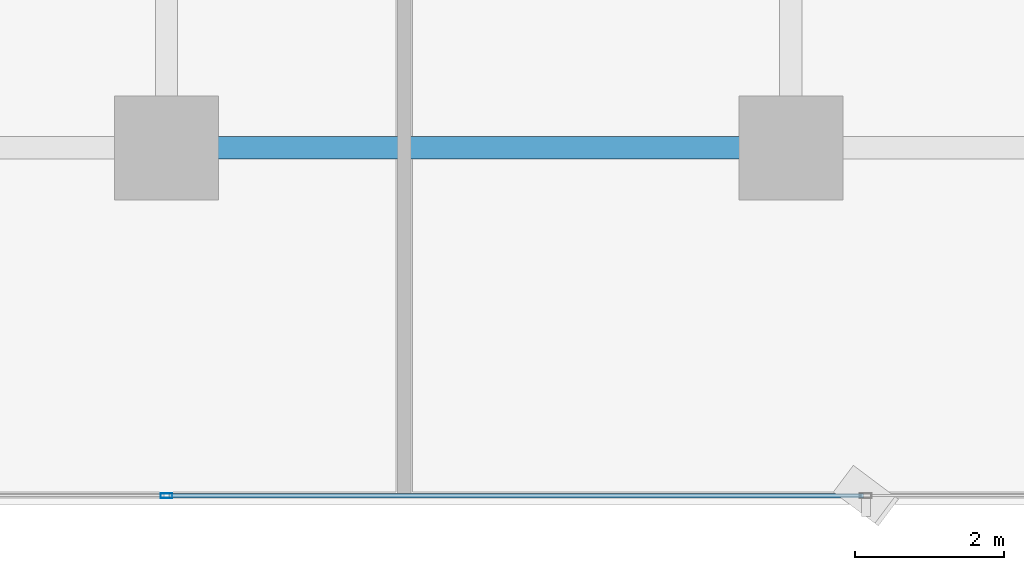
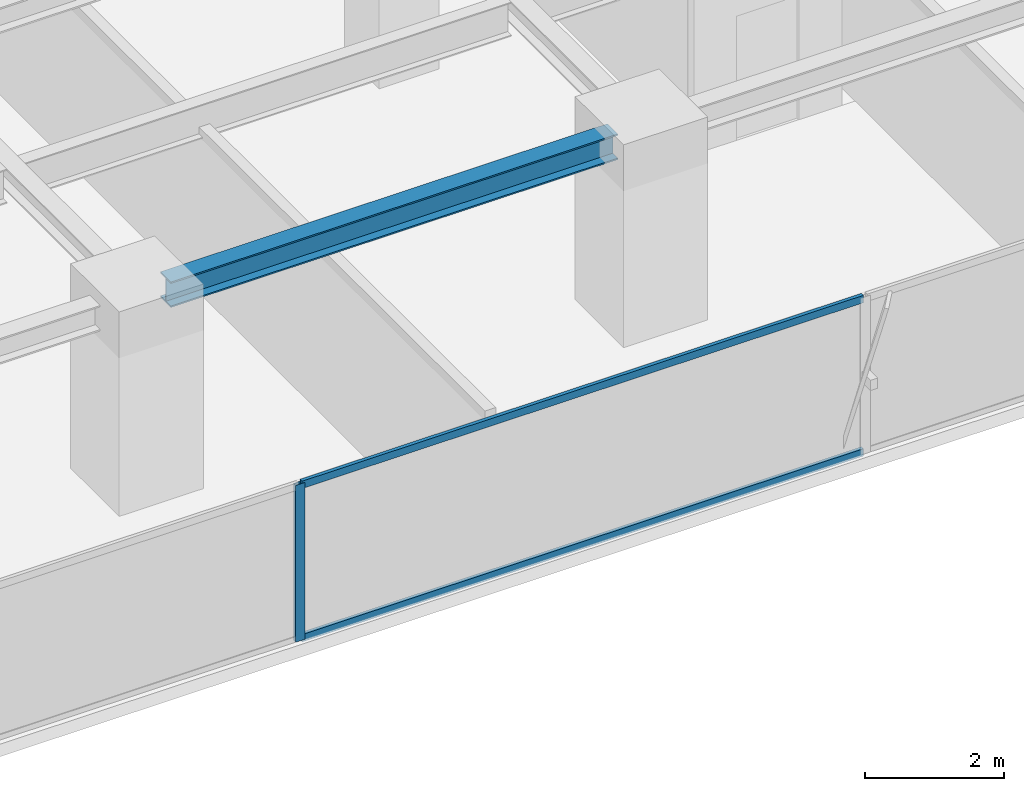
# One storey, part 5 of 28: 3 members, 1 beam, 1 element without a shape of its own.
"""IFC4 building model written with IfcOpenShell, lengths in metres."""

import ifcopenshell
import ifcopenshell.guid

model = None  # the IFC model being written
_history = None  # IfcOwnerHistory: only IFC2X3 demands one
_inside = {}  # id of a spatial element -> (the spatial element, [elements in it])
_under = {}  # id of a project, library or spatial element -> (it, [spatial elements below it])
_declared = {}  # id of a project -> (the project, [libraries it declares])
_typed = {}  # id of a type object -> (the type object, [elements of that type])
_made_of = {}  # id of a material, layer set ... -> (it, [elements and type objects made of it])


def new_model(schema):
    """Start an empty IFC model of exactly this schema.

    Asked for "IFC4X3", IfcOpenShell would pick the latest addendum, in which some entities
    have other attributes; the version numbers below select the first issue.
    IFC2X3 requires an IfcOwnerHistory on every rooted entity: one is made here for all.
    """
    global model, _history
    if schema == "IFC4X3":
        model = ifcopenshell.file(schema_version=(4, 3, 0, 0))
    else:
        model = ifcopenshell.file(schema=schema)
    _inside.clear()
    _under.clear()
    _declared.clear()
    _typed.clear()
    _made_of.clear()
    _history = None
    if model.schema == "IFC2X3":
        org = make("IfcOrganization", Name="unknown")
        user = make(
            "IfcPersonAndOrganization",
            ThePerson=make("IfcPerson", FamilyName="unknown"),
            TheOrganization=org,
        )
        app = make(
            "IfcApplication",
            ApplicationDeveloper=org,
            Version="unknown",
            ApplicationFullName="unknown",
            ApplicationIdentifier="unknown",
        )
        _history = make(
            "IfcOwnerHistory",
            OwningUser=user,
            OwningApplication=app,
            ChangeAction="ADDED",
            CreationDate=0,
        )
    return model


def make(cls, **values):
    """One entity of the class cls with the attributes given. An attribute that is None is left unset."""
    return model.create_entity(
        cls, **{name: value for name, value in values.items() if value is not None}
    )


def rooted(cls, **values):
    """An entity with a GlobalId (a new one), such as an element, a storey or a relation."""
    return make(cls, GlobalId=ifcopenshell.guid.new(), OwnerHistory=_history, **values)


def si_unit(unit_type, name, prefix=None):
    """IfcSIUnit, for example si_unit("LENGTHUNIT", "METRE", prefix="MILLI")."""
    return make("IfcSIUnit", UnitType=unit_type, Prefix=prefix, Name=name)


def assignment(units):
    """IfcUnitAssignment: the units of a project."""
    return None if units is None else make("IfcUnitAssignment", Units=units)


def point(xyz):
    """IfcCartesianPoint."""
    return None if xyz is None else make("IfcCartesianPoint", Coordinates=xyz)


def direction(xyz):
    """IfcDirection."""
    return None if xyz is None else make("IfcDirection", DirectionRatios=xyz)


def frame(location, z_axis=None, x_axis=None):
    """IfcAxis2Placement3D, a coordinate frame: its origin and axes. An axis left out is left unset."""
    return make(
        "IfcAxis2Placement3D",
        Location=point(location),
        Axis=direction(z_axis),
        RefDirection=direction(x_axis),
    )


def frame_2d(location, x_axis=None):
    """IfcAxis2Placement2D, a coordinate frame in the plane: its origin and x axis."""
    return make(
        "IfcAxis2Placement2D", Location=point(location), RefDirection=direction(x_axis)
    )


def origin():
    """The frame at (0, 0, 0) with its axes left unset."""
    return frame((0.0, 0.0, 0.0))


def origin_2d():
    """The frame at (0, 0) in the plane with its x axis left unset."""
    return frame_2d((0.0, 0.0))


def place(relative_to, where):
    """IfcLocalPlacement: puts the frame where relative to a parent placement (None: the world)."""
    return make(
        "IfcLocalPlacement", PlacementRelTo=relative_to, RelativePlacement=where
    )


def context(
    kind, dimensions, precision=None, world=None, true_north=None, identifier=None
):
    """IfcGeometricRepresentationContext, for example the 3D "Model" context."""
    return make(
        "IfcGeometricRepresentationContext",
        ContextIdentifier=identifier,
        ContextType=kind,
        CoordinateSpaceDimension=dimensions,
        Precision=precision,
        WorldCoordinateSystem=world,
        TrueNorth=true_north,
    )


def subcontext(parent, identifier, kind, view, scale=None):
    """IfcGeometricRepresentationSubContext, for example "Body" below "Model"."""
    return make(
        "IfcGeometricRepresentationSubContext",
        ContextIdentifier=identifier,
        ContextType=kind,
        ParentContext=parent,
        TargetScale=scale,
        TargetView=view,
    )


def project(units=None, contexts=None):
    """IfcProject with its units and contexts."""
    return rooted(
        "IfcProject",
        Name="project",
        RepresentationContexts=contexts,
        UnitsInContext=assignment(units),
    )


def spatial(cls, under=None, at=None, **own):
    """A site, building, storey or space (cls), placed at a placement, below another one or the project."""
    s = rooted(cls, ObjectPlacement=at, **own)
    if under is not None:
        _under.setdefault(under.id(), (under, []))[1].append(s)
    return s


def profile(cls, at=None, kind="AREA", **sizes):
    """A parametric profile (cls). Its sizes go by their IFC names, for example OverallWidth=200.0."""
    return make(cls, ProfileType=kind, Position=at, **sizes)


def hollow_rectangle(**sizes):
    """IfcRectangleHollowProfileDef."""
    return profile("IfcRectangleHollowProfileDef", **sizes)


def i_section(**sizes):
    """IfcIShapeProfileDef."""
    return profile("IfcIShapeProfileDef", **sizes)


def extrude(swept, where, along, depth):
    """IfcExtrudedAreaSolid: the profile swept, set in the frame where, extruded along a direction by depth."""
    return make(
        "IfcExtrudedAreaSolid",
        SweptArea=swept,
        Position=where,
        ExtrudedDirection=direction(along),
        Depth=depth,
    )


def shape(context_of_items, identifier, shape_type, items):
    """IfcShapeRepresentation: the items that make up one representation, for example the "Body"."""
    return make(
        "IfcShapeRepresentation",
        ContextOfItems=context_of_items,
        RepresentationIdentifier=identifier,
        RepresentationType=shape_type,
        Items=items,
    )


def source(mapping_origin, context_of_items, identifier, shape_type, items):
    """IfcRepresentationMap: a shape defined once, which mapped items show again and again."""
    return make(
        "IfcRepresentationMap",
        MappingOrigin=mapping_origin,
        MappedRepresentation=shape(context_of_items, identifier, shape_type, items),
    )


def transform(
    local_origin,
    x_axis=None,
    y_axis=None,
    z_axis=None,
    scale=None,
    scale2=None,
    scale3=None,
    uniform=True,
):
    """IfcCartesianTransformationOperator3D, or its non-uniform kind. x_axis, y_axis, z_axis: its Axis1, 2, 3."""
    if uniform:
        return make(
            "IfcCartesianTransformationOperator3D",
            Axis1=direction(x_axis),
            Axis2=direction(y_axis),
            LocalOrigin=point(local_origin),
            Scale=scale,
            Axis3=direction(z_axis),
        )
    return make(
        "IfcCartesianTransformationOperator3DnonUniform",
        Axis1=direction(x_axis),
        Axis2=direction(y_axis),
        LocalOrigin=point(local_origin),
        Scale=scale,
        Axis3=direction(z_axis),
        Scale2=scale2,
        Scale3=scale3,
    )


def mapped(mapping_source, mapping_target):
    """IfcMappedItem: shows the shape of a source again, moved by a transform."""
    return make(
        "IfcMappedItem", MappingSource=mapping_source, MappingTarget=mapping_target
    )


def material(Name=None, Category=None):
    """IfcMaterial."""
    return make("IfcMaterial", Name=Name, Category=Category)


def layer(
    of_material, thickness, ventilated=None, Name=None, Category=None, Priority=None
):
    """IfcMaterialLayer: one layer of a wall or slab, of a material (None: an air gap)."""
    return make(
        "IfcMaterialLayer",
        Material=of_material,
        LayerThickness=thickness,
        IsVentilated=ventilated,
        Name=Name,
        Category=Category,
        Priority=Priority,
    )


def layer_set(layers, Name=None):
    """IfcMaterialLayerSet."""
    return make("IfcMaterialLayerSet", MaterialLayers=layers, LayerSetName=Name)


def material_profile(
    of_material, cross_section, Name=None, Category=None, Priority=None
):
    """IfcMaterialProfile: a cross section and its material."""
    return make(
        "IfcMaterialProfile",
        Name=Name,
        Material=of_material,
        Profile=cross_section,
        Priority=Priority,
        Category=Category,
    )


def profile_set(profiles, Name=None, composite=None):
    """IfcMaterialProfileSet."""
    return make(
        "IfcMaterialProfileSet",
        Name=Name,
        MaterialProfiles=profiles,
        CompositeProfile=composite,
    )


def made_of(thing, what):
    """Note that an element or type object is made of a material, layer set ...; save() writes the relation."""
    if what is not None:
        _made_of.setdefault(what.id(), (what, []))[1].append(thing)
    return thing


def type_object(cls, material=None, **own):
    """A type object (cls), such as IfcWallType, which elements share."""
    return made_of(rooted(cls, **own), material)


def element(
    cls,
    number,
    at=None,
    inside=None,
    cuts=None,
    type_object=None,
    material=None,
    context=None,
    identifier="Body",
    shape_type=None,
    held_by="IfcProductDefinitionShape",
    body=None,
    shapes=None,
    **own,
):
    """One element of the class cls, such as IfcWall. Its Tag is "e" and its number.

    at: its placement. inside: the storey or other place that contains it. cuts: it is an
    opening in that element (IfcRelVoidsElement). A single representation is given by context,
    identifier, shape_type and body (its items); several are given by shapes. held_by: the class
    of the entity that holds the representations. save() writes the other relations.
    """
    e = rooted(cls, Tag="e%d" % number, ObjectPlacement=at, **own)
    if body is not None:
        shapes = [shape(context, identifier, shape_type, body)]
    if shapes is not None:
        e.Representation = make(held_by, Representations=shapes)
    if inside is not None:
        _inside.setdefault(inside.id(), (inside, []))[1].append(e)
    if cuts is not None:
        rooted(
            "IfcRelVoidsElement", RelatingBuildingElement=cuts, RelatedOpeningElement=e
        )
    if type_object is not None:
        _typed.setdefault(type_object.id(), (type_object, []))[1].append(e)
    return made_of(e, material)


def aggregate(whole, parts):
    """IfcRelAggregates: a whole, such as a stair, and the parts it consists of."""
    return rooted("IfcRelAggregates", RelatingObject=whole, RelatedObjects=parts)


def save(model, path):
    """Write the relations noted so far, then the file.

    IfcRelAggregates (storeys below a building ...), IfcRelContainedInSpatialStructure (elements
    in a storey), IfcRelDefinesByType, IfcRelAssociatesMaterial and IfcRelDeclares: one each for
    every whole, place, type object, material and project.
    """
    for whole, parts in _under.values():
        aggregate(whole, parts)
    for where, things in _inside.values():
        rooted(
            "IfcRelContainedInSpatialStructure",
            RelatedElements=things,
            RelatingStructure=where,
        )
    for kind, things in _typed.values():
        rooted("IfcRelDefinesByType", RelatedObjects=things, RelatingType=kind)
    for what, things in _made_of.values():
        rooted("IfcRelAssociatesMaterial", RelatedObjects=things, RelatingMaterial=what)
    for by, libraries in _declared.values():
        rooted("IfcRelDeclares", RelatingContext=by, RelatedDefinitions=libraries)
    model.write(path)


model = new_model("IFC4")

# Units and contexts
model_context = context("Model", 3, precision=1e-05, world=origin(), true_north=direction((0.0, 1.0)))
body_context = subcontext(model_context, "Body", "Model", "MODEL_VIEW")
ifc_project = project(units=[si_unit("LENGTHUNIT", "METRE"), si_unit("AREAUNIT", "SQUARE_METRE"), si_unit("VOLUMEUNIT", "CUBIC_METRE"), si_unit("PLANEANGLEUNIT", "RADIAN"), si_unit("MASSUNIT", "GRAM", prefix="KILO")], contexts=[model_context])

# Site, building, storey
site_placement = place(None, origin())
site = spatial("IfcSite", under=ifc_project, at=site_placement, CompositionType="ELEMENT")
building_placement = place(site_placement, origin())
building = spatial("IfcBuilding", under=site, at=building_placement, Name="Sumidabori Civic Tower", CompositionType="ELEMENT")
storey_placement = place(building_placement, frame((0.0, 0.0, 174.800048828125)))
storey = spatial("IfcBuildingStorey", under=building, at=storey_placement, Name="L45", CompositionType="ELEMENT", Elevation=174.800048828125)

# Beam
ifc_material_1 = material(Name="Steel SN490", Category="steel")
ifc_material_profile_1 = material_profile(ifc_material_1, i_section(OverallWidth=0.300048828125, OverallDepth=0.449951171875, WebThickness=0.013916015625, FlangeThickness=0.02587890625, at=origin_2d()), Name="HE 450 B")
ifc_profile_set_1 = profile_set([ifc_material_profile_1], Name="Steel SN490")
beam_type = type_object("IfcBeamType", Name="BM-GIRD-450", PredefinedType="BEAM", material=ifc_profile_set_1)
shared_shape_1 = source(origin(), body_context, "Body", "SweptSolid", [
    extrude(i_section(OverallWidth=0.300048828125, OverallDepth=0.449951171875, WebThickness=0.013916015625, FlangeThickness=0.02587890625, at=origin_2d()), origin(), (0.0, 0.0, 1.0), 7.43994140625),
])
beam_placement = place(storey_placement, frame((0.47998046875, -18.0, 3.155029296875), z_axis=(1.0, 0.0, 0.0), x_axis=(0.0, 1.0, 0.0)))
element("IfcBeam", 1, at=beam_placement, inside=storey, type_object=beam_type, Name="Primary Girder L45 GX-03", PredefinedType="BEAM", context=body_context, shape_type="MappedRepresentation", body=[
    mapped(shared_shape_1, transform((0.0, 0.0, 0.0), x_axis=(1.0, 0.0, 0.0), y_axis=(0.0, 1.0, 0.0), z_axis=(0.0, 0.0, 1.0), scale=1.0)),
])

# Curtain wall, members
ifc_material_2 = material(Name="Anodised Bronze Aluminium AW-6063-T6", Category="aluminium")
ifc_layer = layer(ifc_material_2, 0.179931640625, Name="Anodised Bronze Aluminium AW-6063-T6")
ifc_layer_set = layer_set([ifc_layer], Name="Anodised Bronze Aluminium AW-6063-T6")
curtain_wall_type = type_object("IfcCurtainWallType", Name="CW-SYS-3", PredefinedType="NOTDEFINED", material=ifc_layer_set)
curtain_wall_placement = place(storey_placement, origin())
curtain_wall = element("IfcCurtainWall", 2, at=curtain_wall_placement, inside=storey, type_object=curtain_wall_type, Name="Curtain Wall CW:L45:R01", PredefinedType="NOTDEFINED")
ifc_material_profile_2 = material_profile(ifc_material_2, hollow_rectangle(XDim=0.06494140625, YDim=0.159912109375, WallThickness=0.0048828125, at=origin_2d()), Name="ALU MULLION 160x65")
ifc_profile_set_2 = profile_set([ifc_material_profile_2], Name="Anodised Bronze Aluminium AW-6063-T6")
member_type_1 = type_object("IfcMemberType", Name="CW-MUL-160", PredefinedType="MULLION", material=ifc_profile_set_2)
shared_shape_2 = source(origin(), body_context, "Body", "SweptSolid", [
    extrude(hollow_rectangle(XDim=0.06494140625, YDim=0.159912109375, WallThickness=0.0048828125, at=origin_2d()), origin(), (0.0, 0.0, 1.0), 2.760009765625),
])
member_1_placement = place(storey_placement, frame((0.0, -22.679931640625, 0.0), z_axis=(0.0, 0.0, 1.0), x_axis=(0.0, 1.0, 0.0)))
member_1 = element("IfcMember", 3, at=member_1_placement, type_object=member_type_1, Name="CW-3 mullion 3", PredefinedType="MULLION", context=body_context, shape_type="MappedRepresentation", body=[
    mapped(shared_shape_2, transform((0.0, 0.0, 0.0), x_axis=(1.0, 0.0, 0.0), y_axis=(0.0, 1.0, 0.0), z_axis=(0.0, 0.0, 1.0), scale=1.0)),
])
ifc_material_profile_3 = material_profile(ifc_material_2, hollow_rectangle(XDim=0.06005859375, YDim=0.1298828125, WallThickness=0.0048828125, at=origin_2d()), Name="ALU TRANSOM 130x60")
ifc_profile_set_3 = profile_set([ifc_material_profile_3], Name="Anodised Bronze Aluminium AW-6063-T6")
member_type_2 = type_object("IfcMemberType", Name="CW-TRN-130", PredefinedType="USERDEFINED", material=ifc_profile_set_3)
shared_shape_3 = source(origin(), body_context, "Body", "SweptSolid", [
    extrude(hollow_rectangle(XDim=0.06005859375, YDim=0.1298828125, WallThickness=0.0048828125, at=origin_2d()), origin(), (0.0, 0.0, 1.0), 9.344970703125),
])
member_2_placement = place(storey_placement, frame((0.032470703125, -22.679931640625, 0.030029296875), z_axis=(1.0, 0.0, 0.0), x_axis=(0.0, 1.0, 0.0)))
member_2 = element("IfcMember", 4, at=member_2_placement, type_object=member_type_2, Name="CW-3 transom 3.1", ObjectType="TRANSOM", PredefinedType="USERDEFINED", context=body_context, shape_type="MappedRepresentation", body=[
    mapped(shared_shape_3, transform((0.0, 0.0, 0.0), x_axis=(1.0, 0.0, 0.0), y_axis=(0.0, 1.0, 0.0), z_axis=(0.0, 0.0, 1.0), scale=1.0)),
])
member_3_placement = place(storey_placement, frame((0.032470703125, -22.679931640625, 2.72998046875), z_axis=(1.0, 0.0, 0.0), x_axis=(0.0, 1.0, 0.0)))
member_3 = element("IfcMember", 5, at=member_3_placement, type_object=member_type_2, Name="CW-3 transom 3.2", ObjectType="TRANSOM", PredefinedType="USERDEFINED", context=body_context, shape_type="MappedRepresentation", body=[
    mapped(shared_shape_3, transform((0.0, 0.0, 0.0), x_axis=(1.0, 0.0, 0.0), y_axis=(0.0, 1.0, 0.0), z_axis=(0.0, 0.0, 1.0), scale=1.0)),
])
aggregate(curtain_wall, [member_1, member_2, member_3])

save(model, "model.ifc")
